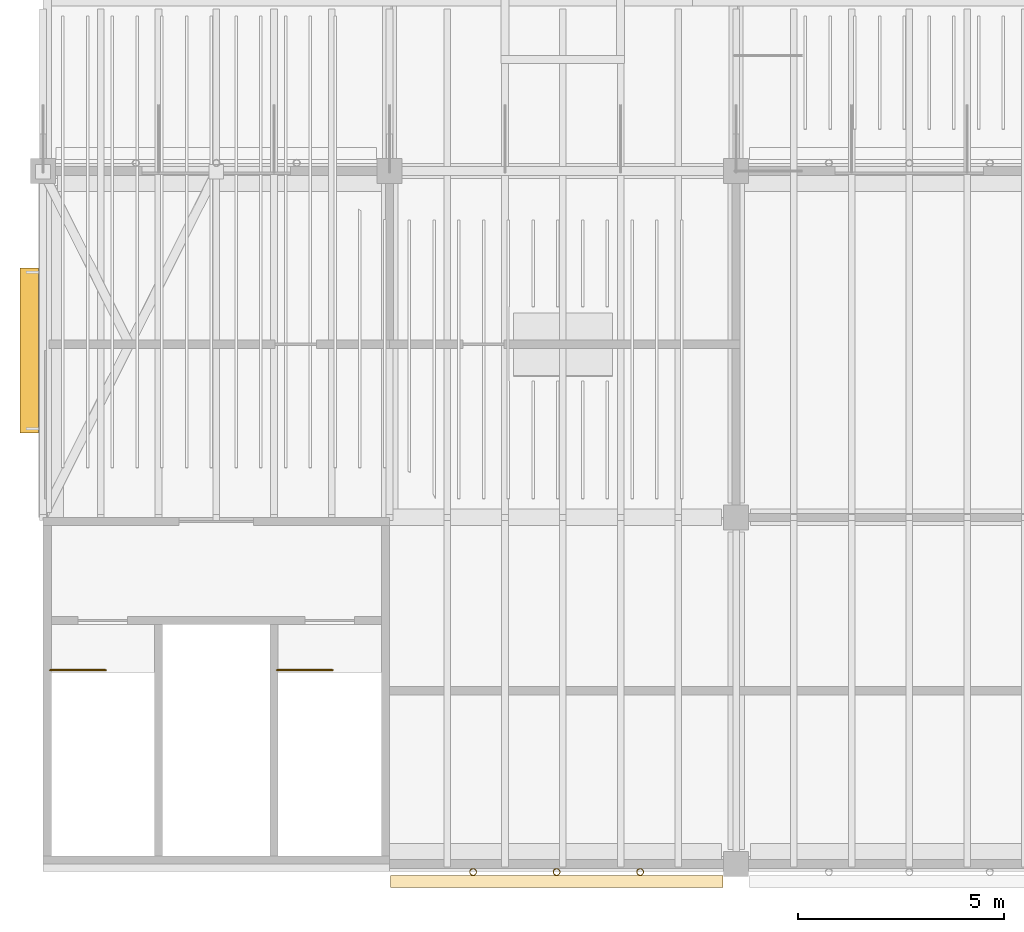
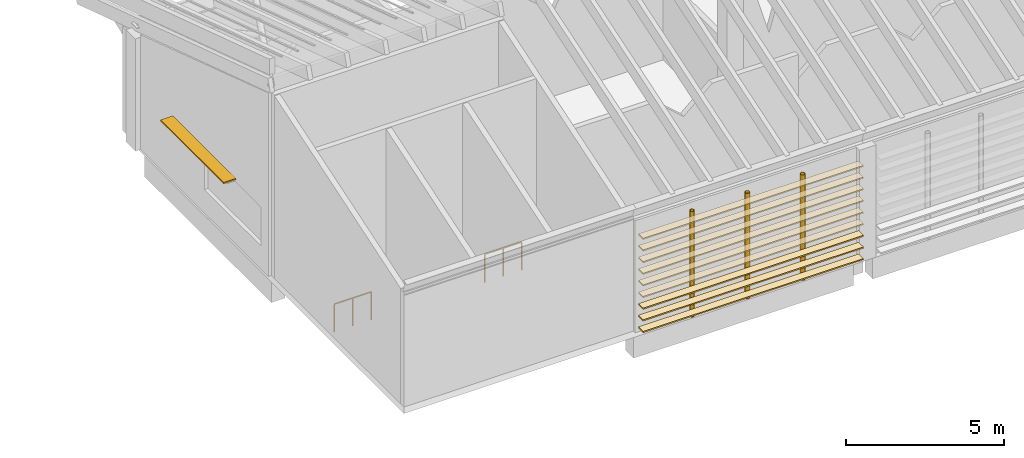
# One storey, part 35 of 59: 9 coverings, 4 shading devices, 2 railings.
"""IFC4 building model written with IfcOpenShell, lengths in metres."""

from ifc_helpers import new_model, si_unit, direction, frame, origin, origin_2d, place, context, subcontext, project, spatial, rectangle, circle, hollow_circle, extrude, material, material_profile, profile_set, type_object, element, save


model = new_model("IFC4")

# Units and contexts
model_context = context("Model", 3, precision=1e-05, world=origin(), true_north=direction((0.0, 1.0)))
body_context = subcontext(model_context, "Body", "Model", "MODEL_VIEW")
ifc_project = project(units=[si_unit("LENGTHUNIT", "METRE"), si_unit("AREAUNIT", "SQUARE_METRE"), si_unit("VOLUMEUNIT", "CUBIC_METRE"), si_unit("PLANEANGLEUNIT", "RADIAN"), si_unit("MASSUNIT", "GRAM", prefix="KILO")], contexts=[model_context])

# Site, building, storey
site_placement = place(None, origin())
site = spatial("IfcSite", under=ifc_project, at=site_placement, CompositionType="ELEMENT")
building_placement = place(site_placement, origin())
building = spatial("IfcBuilding", under=site, at=building_placement, Name="Almond Square Museum", CompositionType="ELEMENT")
storey_placement = place(building_placement, frame((0.0, 0.0, 25.0)))
storey = spatial("IfcBuildingStorey", under=building, at=storey_placement, Name="L04", CompositionType="ELEMENT", Elevation=25.0)

# Shading devices
ifc_material_1 = material(Name="Structural steel S355", Category="steel")
ifc_material_profile_1 = material_profile(ifc_material_1, hollow_circle(Radius=0.084228515625, WallThickness=0.008056640625, at=origin_2d()))
ifc_profile_set_1 = profile_set([ifc_material_profile_1], Name="Structural steel S355")
shading_device_type_1 = type_object("IfcShadingDeviceType", Name="Louvre post CHS 168.3 x 8", PredefinedType="USERDEFINED", material=ifc_profile_set_1)
for number, where, z_axis, x_axis, name in (
    (1, (16.425048828125, -0.194091796875, 0.0), (0.0, 0.0, 1.0), (1.0, 0.0, 0.0), "Louvre screen post"),
    (2, (18.449951171875, -0.194091796875, 0.0), (0.0, 0.0, 1.0), (1.0, 0.0, 0.0), "Louvre screen post"),
    (3, (20.47509765625, -0.194091796875, 0.0), (0.0, 0.0, 1.0), (1.0, 0.0, 0.0), "Louvre screen post"),
):
    element("IfcShadingDevice", number, at=place(storey_placement, frame(where, z_axis=z_axis, x_axis=x_axis)), inside=storey, type_object=shading_device_type_1, Name=name, ObjectType="POST", PredefinedType="USERDEFINED", context=body_context, shape_type="SweptSolid", body=[
        extrude(hollow_circle(Radius=0.084228515625, WallThickness=0.008056640625, at=origin_2d()), origin(), (0.0, 0.0, 1.0), 4.08447265625),
    ])

# Coverings
ifc_material_2 = material(Name="Cedar timber louvre board", Category="wood")
ifc_material_profile_2 = material_profile(ifc_material_2, rectangle(XDim=0.300048828125, YDim=0.050048828125, at=origin_2d()))
ifc_profile_set_2 = profile_set([ifc_material_profile_2], Name="Cedar timber louvre board")
covering_type = type_object("IfcCoveringType", Name="Louvre screen board 300 x 50", PredefinedType="CLADDING", material=ifc_profile_set_2)
for number, where, z_axis, x_axis, name in (
    (4, (14.419921875, -0.42431640625, 0.300048828125), (1.0, 0.0, 0.0), (0.0, 1.0, 0.0), "Louvre screen board"),
    (5, (14.419921875, -0.42431640625, 0.75), (1.0, 0.0, 0.0), (0.0, 1.0, 0.0), "Louvre screen board"),
    (6, (14.419921875, -0.42431640625, 1.199951171875), (1.0, 0.0, 0.0), (0.0, 1.0, 0.0), "Louvre screen board"),
    (7, (14.419921875, -0.42431640625, 1.64990234375), (1.0, 0.0, 0.0), (0.0, 1.0, 0.0), "Louvre screen board"),
    (8, (14.419921875, -0.42431640625, 2.10009765625), (1.0, 0.0, 0.0), (0.0, 1.0, 0.0), "Louvre screen board"),
    (9, (14.419921875, -0.42431640625, 2.550048828125), (1.0, 0.0, 0.0), (0.0, 1.0, 0.0), "Louvre screen board"),
    (10, (14.419921875, -0.42431640625, 3.0), (1.0, 0.0, 0.0), (0.0, 1.0, 0.0), "Louvre screen board"),
    (11, (14.419921875, -0.42431640625, 3.449951171875), (1.0, 0.0, 0.0), (0.0, 1.0, 0.0), "Louvre screen board"),
    (12, (14.419921875, -0.42431640625, 3.89990234375), (1.0, 0.0, 0.0), (0.0, 1.0, 0.0), "Louvre screen board"),
):
    element("IfcCovering", number, at=place(storey_placement, frame(where, z_axis=z_axis, x_axis=x_axis)), inside=storey, type_object=covering_type, Name=name, PredefinedType="CLADDING", context=body_context, shape_type="SweptSolid", body=[
        extrude(rectangle(XDim=0.300048828125, YDim=0.050048828125, at=origin_2d()), origin(), (0.0, 0.0, 1.0), 8.06005859375),
    ])

# Railings
ifc_material_3 = material(Name="Stainless steel and laminated glass", Category="steel")
railing_type = type_object("IfcRailingType", Name="Stair guard 1100 steel and glass", PredefinedType="GUARDRAIL", material=ifc_material_3)
for number, where, name in (
    (13, (6.169921875, 4.699951171875, 0.0), "L04 ST-27 top well guard 1"),
    (14, (11.669921875, 4.699951171875, 0.0), "L04 ST-28 top well guard 1"),
):
    element("IfcRailing", number, at=place(storey_placement, frame(where)), inside=storey, type_object=railing_type, Name=name, PredefinedType="GUARDRAIL", context=body_context, shape_type="SweptSolid", body=[
        extrude(circle(Radius=0.02392578125, at=origin_2d()), frame((0.0, 0.0, 1.076171875), z_axis=(1.0, 0.0, 0.0), x_axis=(0.0, 1.0, 0.0)), (0.0, 0.0, 1.0), 1.35009765625),
        extrude(circle(Radius=0.02099609375, at=origin_2d()), origin(), (0.0, 0.0, 1.0), 1.052001953125),
        extrude(circle(Radius=0.02099609375, at=origin_2d()), frame((0.675048828125, 0.0, 0.0)), (0.0, 0.0, 1.0), 1.052001953125),
        extrude(circle(Radius=0.02099609375, at=origin_2d()), frame((1.35009765625, 0.0, 0.0)), (0.0, 0.0, 1.0), 1.052001953125),
    ])

# Shading device
ifc_material_4 = material(Name="Anodised aluminium", Category="aluminium")
ifc_material_profile_3 = material_profile(ifc_material_4, rectangle(XDim=0.449951171875, YDim=0.050048828125, at=origin_2d()))
ifc_profile_set_3 = profile_set([ifc_material_profile_3], Name="Anodised aluminium")
shading_device_type_2 = type_object("IfcShadingDeviceType", Name="Sun-shade blade 450 x 50", PredefinedType="USERDEFINED", material=ifc_profile_set_3)
shading_device_placement = place(storey_placement, frame((5.6669921875, 10.449951171875, 2.52001953125), z_axis=(0.0, 1.0, 0.0), x_axis=(-1.0, 0.0, 0.0)))
element("IfcShadingDevice", 15, at=shading_device_placement, inside=storey, type_object=shading_device_type_2, Name="Sun-shade blade", ObjectType="LOUVRE", PredefinedType="USERDEFINED", context=body_context, shape_type="SweptSolid", body=[
    extrude(rectangle(XDim=0.449951171875, YDim=0.050048828125, at=origin_2d()), origin(), (0.0, 0.0, 1.0), 4.0),
])

save(model, "model.ifc")
